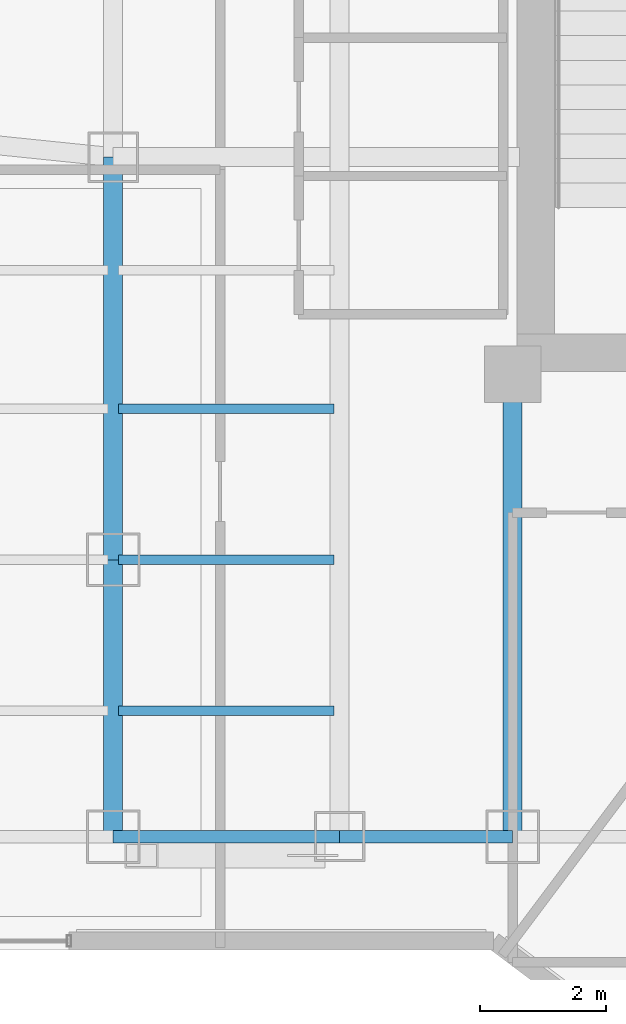
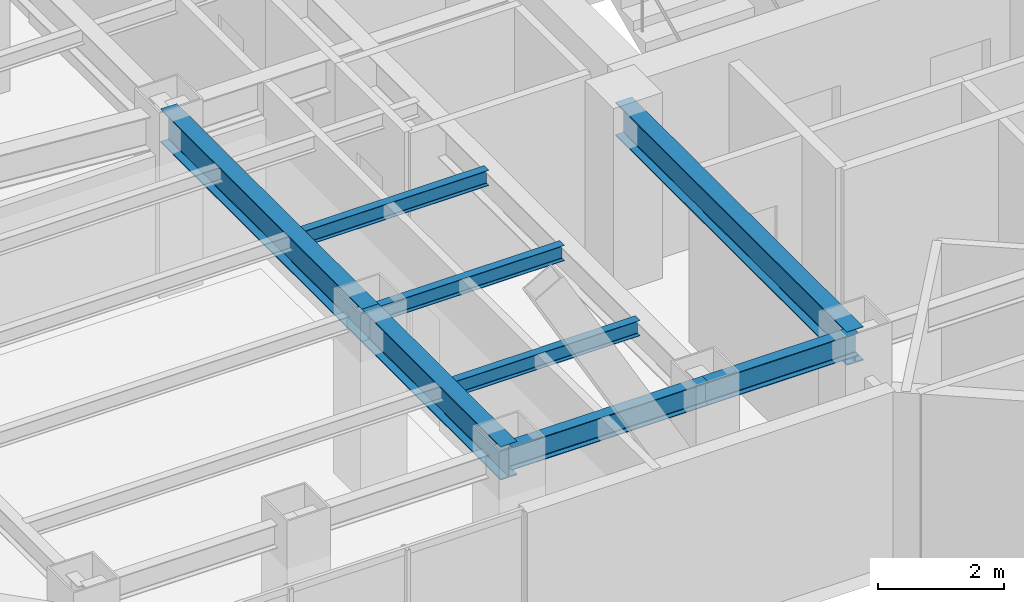
# One storey, part 5 of 28: 8 beams.
"""IFC4 building model written with IfcOpenShell, lengths in metres."""

import ifcopenshell
import ifcopenshell.guid

model = None  # the IFC model being written
_history = None  # IfcOwnerHistory: only IFC2X3 demands one
_inside = {}  # id of a spatial element -> (the spatial element, [elements in it])
_under = {}  # id of a project, library or spatial element -> (it, [spatial elements below it])
_declared = {}  # id of a project -> (the project, [libraries it declares])
_typed = {}  # id of a type object -> (the type object, [elements of that type])
_made_of = {}  # id of a material, layer set ... -> (it, [elements and type objects made of it])


def new_model(schema):
    """Start an empty IFC model of exactly this schema.

    Asked for "IFC4X3", IfcOpenShell would pick the latest addendum, in which some entities
    have other attributes; the version numbers below select the first issue.
    IFC2X3 requires an IfcOwnerHistory on every rooted entity: one is made here for all.
    """
    global model, _history
    if schema == "IFC4X3":
        model = ifcopenshell.file(schema_version=(4, 3, 0, 0))
    else:
        model = ifcopenshell.file(schema=schema)
    _inside.clear()
    _under.clear()
    _declared.clear()
    _typed.clear()
    _made_of.clear()
    _history = None
    if model.schema == "IFC2X3":
        org = make("IfcOrganization", Name="unknown")
        user = make(
            "IfcPersonAndOrganization",
            ThePerson=make("IfcPerson", FamilyName="unknown"),
            TheOrganization=org,
        )
        app = make(
            "IfcApplication",
            ApplicationDeveloper=org,
            Version="unknown",
            ApplicationFullName="unknown",
            ApplicationIdentifier="unknown",
        )
        _history = make(
            "IfcOwnerHistory",
            OwningUser=user,
            OwningApplication=app,
            ChangeAction="ADDED",
            CreationDate=0,
        )
    return model


def make(cls, **values):
    """One entity of the class cls with the attributes given. An attribute that is None is left unset."""
    return model.create_entity(
        cls, **{name: value for name, value in values.items() if value is not None}
    )


def rooted(cls, **values):
    """An entity with a GlobalId (a new one), such as an element, a storey or a relation."""
    return make(cls, GlobalId=ifcopenshell.guid.new(), OwnerHistory=_history, **values)


def si_unit(unit_type, name, prefix=None):
    """IfcSIUnit, for example si_unit("LENGTHUNIT", "METRE", prefix="MILLI")."""
    return make("IfcSIUnit", UnitType=unit_type, Prefix=prefix, Name=name)


def assignment(units):
    """IfcUnitAssignment: the units of a project."""
    return None if units is None else make("IfcUnitAssignment", Units=units)


def point(xyz):
    """IfcCartesianPoint."""
    return None if xyz is None else make("IfcCartesianPoint", Coordinates=xyz)


def direction(xyz):
    """IfcDirection."""
    return None if xyz is None else make("IfcDirection", DirectionRatios=xyz)


def frame(location, z_axis=None, x_axis=None):
    """IfcAxis2Placement3D, a coordinate frame: its origin and axes. An axis left out is left unset."""
    return make(
        "IfcAxis2Placement3D",
        Location=point(location),
        Axis=direction(z_axis),
        RefDirection=direction(x_axis),
    )


def frame_2d(location, x_axis=None):
    """IfcAxis2Placement2D, a coordinate frame in the plane: its origin and x axis."""
    return make(
        "IfcAxis2Placement2D", Location=point(location), RefDirection=direction(x_axis)
    )


def origin():
    """The frame at (0, 0, 0) with its axes left unset."""
    return frame((0.0, 0.0, 0.0))


def origin_2d():
    """The frame at (0, 0) in the plane with its x axis left unset."""
    return frame_2d((0.0, 0.0))


def place(relative_to, where):
    """IfcLocalPlacement: puts the frame where relative to a parent placement (None: the world)."""
    return make(
        "IfcLocalPlacement", PlacementRelTo=relative_to, RelativePlacement=where
    )


def context(
    kind, dimensions, precision=None, world=None, true_north=None, identifier=None
):
    """IfcGeometricRepresentationContext, for example the 3D "Model" context."""
    return make(
        "IfcGeometricRepresentationContext",
        ContextIdentifier=identifier,
        ContextType=kind,
        CoordinateSpaceDimension=dimensions,
        Precision=precision,
        WorldCoordinateSystem=world,
        TrueNorth=true_north,
    )


def subcontext(parent, identifier, kind, view, scale=None):
    """IfcGeometricRepresentationSubContext, for example "Body" below "Model"."""
    return make(
        "IfcGeometricRepresentationSubContext",
        ContextIdentifier=identifier,
        ContextType=kind,
        ParentContext=parent,
        TargetScale=scale,
        TargetView=view,
    )


def project(units=None, contexts=None):
    """IfcProject with its units and contexts."""
    return rooted(
        "IfcProject",
        Name="project",
        RepresentationContexts=contexts,
        UnitsInContext=assignment(units),
    )


def spatial(cls, under=None, at=None, **own):
    """A site, building, storey or space (cls), placed at a placement, below another one or the project."""
    s = rooted(cls, ObjectPlacement=at, **own)
    if under is not None:
        _under.setdefault(under.id(), (under, []))[1].append(s)
    return s


def profile(cls, at=None, kind="AREA", **sizes):
    """A parametric profile (cls). Its sizes go by their IFC names, for example OverallWidth=200.0."""
    return make(cls, ProfileType=kind, Position=at, **sizes)


def i_section(**sizes):
    """IfcIShapeProfileDef."""
    return profile("IfcIShapeProfileDef", **sizes)


def extrude(swept, where, along, depth):
    """IfcExtrudedAreaSolid: the profile swept, set in the frame where, extruded along a direction by depth."""
    return make(
        "IfcExtrudedAreaSolid",
        SweptArea=swept,
        Position=where,
        ExtrudedDirection=direction(along),
        Depth=depth,
    )


def shape(context_of_items, identifier, shape_type, items):
    """IfcShapeRepresentation: the items that make up one representation, for example the "Body"."""
    return make(
        "IfcShapeRepresentation",
        ContextOfItems=context_of_items,
        RepresentationIdentifier=identifier,
        RepresentationType=shape_type,
        Items=items,
    )


def material(Name=None, Category=None):
    """IfcMaterial."""
    return make("IfcMaterial", Name=Name, Category=Category)


def material_profile(
    of_material, cross_section, Name=None, Category=None, Priority=None
):
    """IfcMaterialProfile: a cross section and its material."""
    return make(
        "IfcMaterialProfile",
        Name=Name,
        Material=of_material,
        Profile=cross_section,
        Priority=Priority,
        Category=Category,
    )


def profile_set(profiles, Name=None, composite=None):
    """IfcMaterialProfileSet."""
    return make(
        "IfcMaterialProfileSet",
        Name=Name,
        MaterialProfiles=profiles,
        CompositeProfile=composite,
    )


def made_of(thing, what):
    """Note that an element or type object is made of a material, layer set ...; save() writes the relation."""
    if what is not None:
        _made_of.setdefault(what.id(), (what, []))[1].append(thing)
    return thing


def type_object(cls, material=None, **own):
    """A type object (cls), such as IfcWallType, which elements share."""
    return made_of(rooted(cls, **own), material)


def element(
    cls,
    number,
    at=None,
    inside=None,
    cuts=None,
    type_object=None,
    material=None,
    context=None,
    identifier="Body",
    shape_type=None,
    held_by="IfcProductDefinitionShape",
    body=None,
    shapes=None,
    **own,
):
    """One element of the class cls, such as IfcWall. Its Tag is "e" and its number.

    at: its placement. inside: the storey or other place that contains it. cuts: it is an
    opening in that element (IfcRelVoidsElement). A single representation is given by context,
    identifier, shape_type and body (its items); several are given by shapes. held_by: the class
    of the entity that holds the representations. save() writes the other relations.
    """
    e = rooted(cls, Tag="e%d" % number, ObjectPlacement=at, **own)
    if body is not None:
        shapes = [shape(context, identifier, shape_type, body)]
    if shapes is not None:
        e.Representation = make(held_by, Representations=shapes)
    if inside is not None:
        _inside.setdefault(inside.id(), (inside, []))[1].append(e)
    if cuts is not None:
        rooted(
            "IfcRelVoidsElement", RelatingBuildingElement=cuts, RelatedOpeningElement=e
        )
    if type_object is not None:
        _typed.setdefault(type_object.id(), (type_object, []))[1].append(e)
    return made_of(e, material)


def aggregate(whole, parts):
    """IfcRelAggregates: a whole, such as a stair, and the parts it consists of."""
    return rooted("IfcRelAggregates", RelatingObject=whole, RelatedObjects=parts)


def save(model, path):
    """Write the relations noted so far, then the file.

    IfcRelAggregates (storeys below a building ...), IfcRelContainedInSpatialStructure (elements
    in a storey), IfcRelDefinesByType, IfcRelAssociatesMaterial and IfcRelDeclares: one each for
    every whole, place, type object, material and project.
    """
    for whole, parts in _under.values():
        aggregate(whole, parts)
    for where, things in _inside.values():
        rooted(
            "IfcRelContainedInSpatialStructure",
            RelatedElements=things,
            RelatingStructure=where,
        )
    for kind, things in _typed.values():
        rooted("IfcRelDefinesByType", RelatedObjects=things, RelatingType=kind)
    for what, things in _made_of.values():
        rooted("IfcRelAssociatesMaterial", RelatedObjects=things, RelatingMaterial=what)
    for by, libraries in _declared.values():
        rooted("IfcRelDeclares", RelatingContext=by, RelatedDefinitions=libraries)
    model.write(path)


model = new_model("IFC4")

# Units and contexts
model_context = context("Model", 3, precision=1e-05, world=origin(), true_north=direction((0.0, 1.0)))
body_context = subcontext(model_context, "Body", "Model", "MODEL_VIEW")
ifc_project = project(units=[si_unit("LENGTHUNIT", "METRE"), si_unit("AREAUNIT", "SQUARE_METRE"), si_unit("VOLUMEUNIT", "CUBIC_METRE"), si_unit("PLANEANGLEUNIT", "RADIAN"), si_unit("MASSUNIT", "GRAM", prefix="KILO")], contexts=[model_context])

# Site, building, storey
site_placement = place(None, origin())
site = spatial("IfcSite", under=ifc_project, at=site_placement, CompositionType="ELEMENT")
building_placement = place(site_placement, origin())
building = spatial("IfcBuilding", under=site, at=building_placement, Name="Hatsunagi Terrace Concourse", CompositionType="ELEMENT")
storey_placement = place(building_placement, frame((0.0, 0.0, 138.449951171875)))
storey = spatial("IfcBuildingStorey", under=building, at=storey_placement, Name="L36", CompositionType="ELEMENT", Elevation=138.449951171875)

# Beams
ifc_material_1 = material(Name="Steel SN490B", Category="steel")
ifc_material_profile_1 = material_profile(ifc_material_1, i_section(OverallWidth=0.14990234375, OverallDepth=0.300048828125, WebThickness=0.006591796875, FlangeThickness=0.009033203125, FilletRadius=0.010986328125, at=origin_2d()), Name="H-300x150x6.5x9")
ifc_profile_set_1 = profile_set([ifc_material_profile_1], Name="Steel SN490B")
beam_type_1 = type_object("IfcBeamType", Name="OfficeJoist_H_300x150", PredefinedType="JOIST", material=ifc_profile_set_1)
for number, where, z_axis, x_axis, name in (
    (1, (19.284912109375, 27.199951171875, 3.199951171875), (1.0, 0.0, 0.0), (0.0, 1.0, 0.0), "Beam J-03 J-L36-W-19-272"),
    (2, (19.284912109375, 29.60009765625, 3.199951171875), (1.0, 0.0, 0.0), (0.0, 1.0, 0.0), "Beam J-03 J-L36-W-19-296"),
    (3, (19.284912109375, 32.0, 3.199951171875), (1.0, 0.0, 0.0), (0.0, 1.0, 0.0), "Beam J-03 J-L36-W-19-320"),
):
    element("IfcBeam", number, at=place(storey_placement, frame(where, z_axis=z_axis, x_axis=x_axis)), inside=storey, type_object=beam_type_1, Name=name, PredefinedType="JOIST", context=body_context, shape_type="SweptSolid", body=[
        extrude(i_section(OverallWidth=0.14990234375, OverallDepth=0.300048828125, WebThickness=0.006591796875, FlangeThickness=0.009033203125, FilletRadius=0.010986328125, at=origin_2d()), origin(), (0.0, 0.0, 1.0), 3.43017578125),
    ])
ifc_material_2 = material(Name="Steel SN490B", Category="steel")
ifc_material_profile_2 = material_profile(ifc_material_2, i_section(OverallWidth=0.300048828125, OverallDepth=0.64990234375, WebThickness=0.012939453125, FlangeThickness=0.02197265625, FilletRadius=0.01806640625, at=origin_2d()), Name="H-650x300x13x22")
ifc_profile_set_2 = profile_set([ifc_material_profile_2], Name="Steel SN490B")
beam_type_2 = type_object("IfcBeamType", Name="OfficeLowGirder_H_650x300", PredefinedType="BEAM", material=ifc_profile_set_2)
beam_1_placement = place(storey_placement, frame((25.550048828125, 25.199951171875, 3.025146484375), z_axis=(0.0, 1.0, 0.0), x_axis=(-1.0, 0.0, 0.0)))
element("IfcBeam", 4, at=beam_1_placement, inside=storey, type_object=beam_type_2, Name="Beam G-05 BM-L36-K1CA", PredefinedType="BEAM", context=body_context, shape_type="SweptSolid", body=[
    extrude(i_section(OverallWidth=0.300048828125, OverallDepth=0.64990234375, WebThickness=0.012939453125, FlangeThickness=0.02197265625, FilletRadius=0.01806640625, at=origin_2d()), origin(), (0.0, 0.0, 1.0), 7.35009765625),
])
beam_2_placement = place(storey_placement, frame((19.199951171875, 25.199951171875, 3.025146484375), z_axis=(0.0, 1.0, 0.0), x_axis=(-1.0, 0.0, 0.0)))
element("IfcBeam", 5, at=beam_2_placement, inside=storey, type_object=beam_type_2, Name="Beam G-05 BM-L36-NS-19-25", PredefinedType="BEAM", context=body_context, shape_type="SweptSolid", body=[
    extrude(i_section(OverallWidth=0.300048828125, OverallDepth=0.64990234375, WebThickness=0.012939453125, FlangeThickness=0.02197265625, FilletRadius=0.01806640625, at=origin_2d()), origin(), (0.0, 0.0, 1.0), 4.400146484375),
])
beam_3_placement = place(storey_placement, frame((19.199951171875, 29.60009765625, 3.025146484375), z_axis=(0.0, 1.0, 0.0), x_axis=(-1.0, 0.0, 0.0)))
element("IfcBeam", 6, at=beam_3_placement, inside=storey, type_object=beam_type_2, Name="Beam G-05 BM-L36-NS-19-29", PredefinedType="BEAM", context=body_context, shape_type="SweptSolid", body=[
    extrude(i_section(OverallWidth=0.300048828125, OverallDepth=0.64990234375, WebThickness=0.012939453125, FlangeThickness=0.02197265625, FilletRadius=0.01806640625, at=origin_2d()), origin(), (0.0, 0.0, 1.0), 6.39990234375),
])
ifc_material_3 = material(Name="Steel SN490B", Category="steel")
ifc_material_profile_3 = material_profile(ifc_material_3, i_section(OverallWidth=0.199951171875, OverallDepth=0.449951171875, WebThickness=0.009033203125, FlangeThickness=0.013916015625, FilletRadius=0.01611328125, at=origin_2d()), Name="H-450x200x9x14")
ifc_profile_set_3 = profile_set([ifc_material_profile_3], Name="Steel SN490B")
beam_type_3 = type_object("IfcBeamType", Name="PerimeterSpandrel_H_450x200", PredefinedType="SPANDREL", material=ifc_profile_set_3)
beam_4_placement = place(storey_placement, frame((19.199951171875, 25.199951171875, 3.125), z_axis=(1.0, 0.0, 0.0), x_axis=(0.0, 1.0, 0.0)))
element("IfcBeam", 7, at=beam_4_placement, inside=storey, type_object=beam_type_3, Name="Beam SP-02 BM-L36-WS-19", PredefinedType="SPANDREL", context=body_context, shape_type="SweptSolid", body=[
    extrude(i_section(OverallWidth=0.199951171875, OverallDepth=0.449951171875, WebThickness=0.009033203125, FlangeThickness=0.013916015625, FilletRadius=0.01611328125, at=origin_2d()), origin(), (0.0, 0.0, 1.0), 3.60009765625),
])
beam_5_placement = place(storey_placement, frame((22.800048828125, 25.199951171875, 3.125), z_axis=(1.0, 0.0, 0.0), x_axis=(0.0, 1.0, 0.0)))
element("IfcBeam", 8, at=beam_5_placement, inside=storey, type_object=beam_type_3, Name="Beam SP-02 BM-L36-WS-22", PredefinedType="SPANDREL", context=body_context, shape_type="SweptSolid", body=[
    extrude(i_section(OverallWidth=0.199951171875, OverallDepth=0.449951171875, WebThickness=0.009033203125, FlangeThickness=0.013916015625, FilletRadius=0.01611328125, at=origin_2d()), origin(), (0.0, 0.0, 1.0), 2.75),
])

save(model, "model.ifc")
